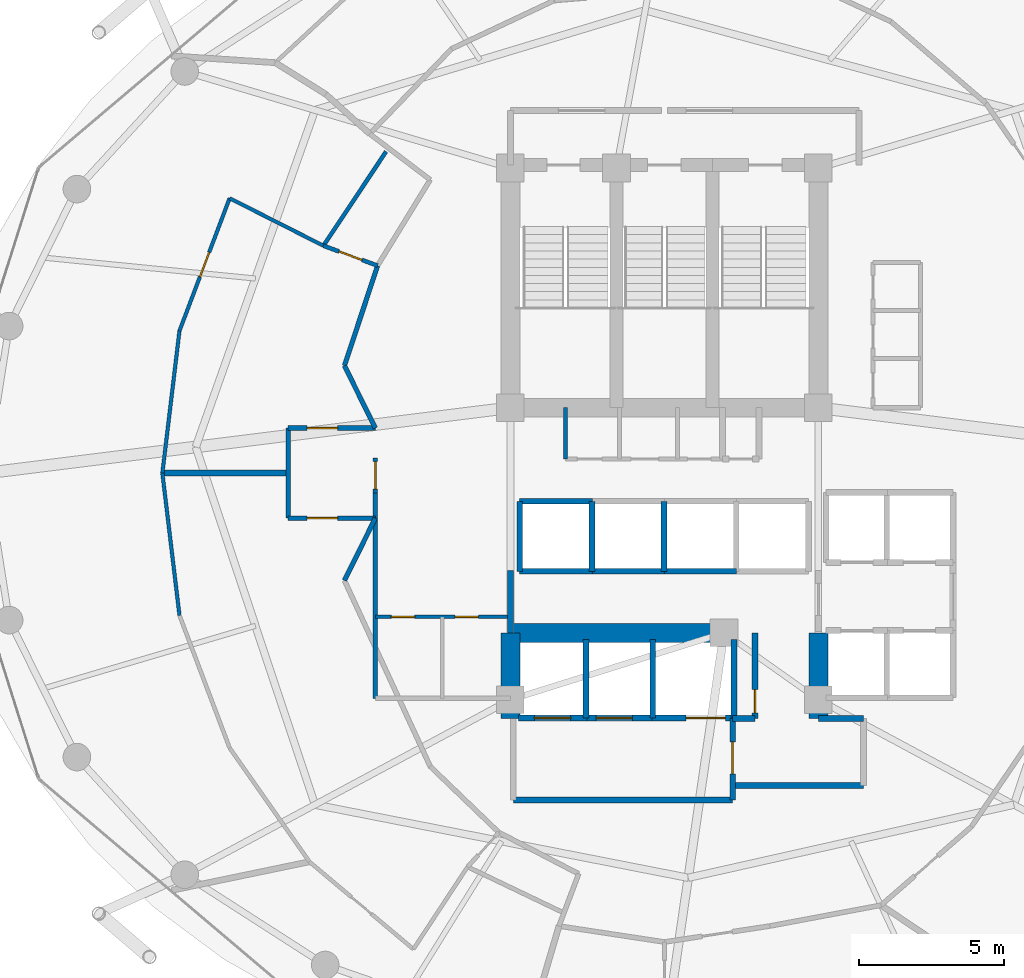
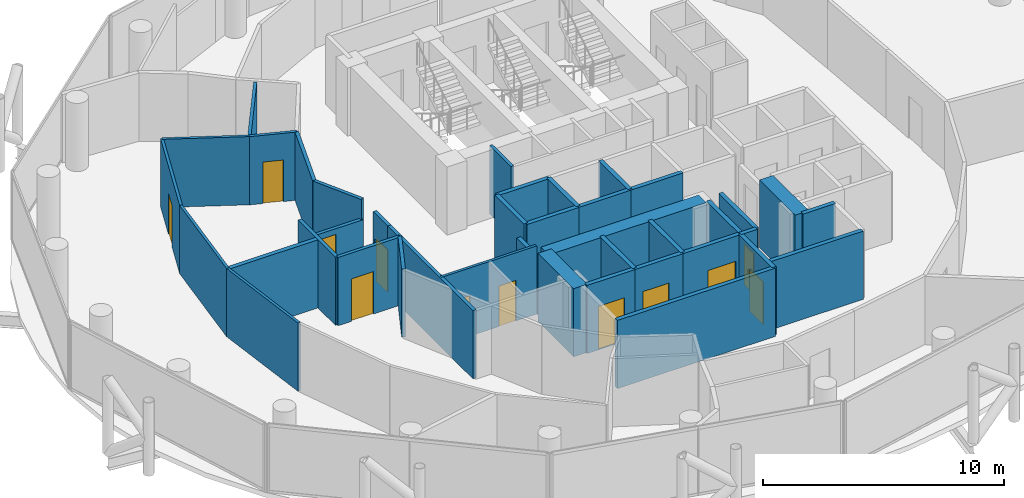
# One storey, part 22 of 26: 40 walls, 12 doors, 12 openings.
"""IFC4 building model written with IfcOpenShell, lengths in metres."""

from ifc_helpers import new_model, si_unit, direction, frame, frame_2d, origin, place, context, subcontext, project, spatial, rectangle, extrude, material, layer, layer_set, type_object, element, fill, save


model = new_model("IFC4")

# Units and contexts
model_context = context("Model", 3, precision=1e-05, world=origin(), true_north=direction((0.0, 1.0)))
body_context = subcontext(model_context, "Body", "Model", "MODEL_VIEW")
ifc_project = project(units=[si_unit("LENGTHUNIT", "METRE"), si_unit("AREAUNIT", "SQUARE_METRE"), si_unit("VOLUMEUNIT", "CUBIC_METRE"), si_unit("PLANEANGLEUNIT", "RADIAN"), si_unit("MASSUNIT", "GRAM", prefix="KILO")], contexts=[model_context])

# Site, building, storey
site_placement = place(None, origin())
site = spatial("IfcSite", under=ifc_project, at=site_placement, CompositionType="ELEMENT")
building_placement = place(site_placement, origin())
building = spatial("IfcBuilding", under=site, at=building_placement, Name="Nuhasar Tower", CompositionType="ELEMENT")
storey_placement = place(building_placement, frame((0.0, 0.0, 166.35009765625)))
storey = spatial("IfcBuildingStorey", under=building, at=storey_placement, Name="L40", CompositionType="ELEMENT", Elevation=166.35009765625)

# Walls
ifc_material_1 = material(Name="Concrete C65/80", Category="concrete")
ifc_layer_1 = layer(ifc_material_1, 0.64990234375)
ifc_layer_set_1 = layer_set([ifc_layer_1], Name="Concrete C65/80")
wall_type_1 = type_object("IfcWallType", Name="WL-CORE-650", PredefinedType="SHEAR", material=ifc_layer_set_1)
for number, where, z_axis, x_axis, name in (
    (1, (33.699951171875, 18.35009765625, 0.0), (0.0, 0.0, 1.0), (0.0, 1.0, 0.0), "L40 Core Shear Wall CW-SW CW-650"),
    (2, (44.300048828125, 18.35009765625, 0.0), (0.0, 0.0, 1.0), (0.0, 1.0, 0.0), "L40 Core Shear Wall CW-SE CW-650"),
):
    element("IfcWall", number, at=place(storey_placement, frame(where, z_axis=z_axis, x_axis=x_axis)), inside=storey, type_object=wall_type_1, Name=name, PredefinedType="SHEAR", context=body_context, shape_type="SweptSolid", body=[
        extrude(rectangle(XDim=2.949951171875, YDim=0.64990234375, at=frame_2d((1.47509765625, 0.0))), origin(), (0.0, 0.0, 1.0), 3.449951171875),
    ])
wall_1_placement = place(storey_placement, frame((33.699951171875, 21.300048828125, 0.0), z_axis=(0.0, 0.0, 1.0), x_axis=(1.0, 0.0, 0.0)))
element("IfcWall", 3, at=wall_1_placement, inside=storey, type_object=wall_type_1, Name="L40 Core Shear Wall CW-S1 CW-650", PredefinedType="SHEAR", context=body_context, shape_type="SweptSolid", body=[
    extrude(rectangle(XDim=7.550048828125, YDim=0.64990234375, at=frame_2d((3.77490234375, 0.0))), origin(), (0.0, 0.0, 1.0), 3.449951171875),
])
ifc_material_2 = material(Name="Gypsum Board", Category="gypsum")
ifc_layer_2 = layer(ifc_material_2, 0.159912109375)
ifc_layer_set_2 = layer_set([ifc_layer_2], Name="Gypsum Board")
wall_type_2 = type_object("IfcWallType", Name="WL-CORR-160", PredefinedType="PARTITIONING", material=ifc_layer_set_2)
wall_2_placement = place(storey_placement, frame((29.050048828125, 19.050048828125, 0.0), z_axis=(0.0, 0.0, 1.0), x_axis=(0.0, 1.0, 0.0)))
element("IfcWall", 4, at=wall_2_placement, inside=storey, type_object=wall_type_2, Name="L40 Interior Partition RECL-B1-W", PredefinedType="PARTITIONING", context=body_context, shape_type="SweptSolid", body=[
    extrude(rectangle(XDim=7.070068359375, YDim=0.159912109375, at=frame_2d((3.53515625, 0.0))), origin(), (0.0, 0.0, 1.0), 3.449951171875),
])

# Wall, opening, door
wall_3_placement = place(storey_placement, frame((29.050048828125, 26.1201171875, 0.0), z_axis=(0.0, 0.0, 1.0), x_axis=(0.0, 1.0, 0.0)))
wall_3 = element("IfcWall", 5, at=wall_3_placement, inside=storey, type_object=wall_type_2, Name="L40 Interior Partition WVEST-E", PredefinedType="PARTITIONING", context=body_context, shape_type="SweptSolid", body=[
    extrude(rectangle(XDim=1.199951171875, YDim=0.159912109375, at=frame_2d((0.60009765625, 0.0))), origin(), (0.0, 0.0, 1.0), 3.449951171875),
])
opening_1_placement = place(wall_3_placement, frame((0.125, 0.0, 0.0)))
opening_1 = element("IfcOpeningElement", 6, at=opening_1_placement, cuts=wall_3, Name="Opening DO-01", PredefinedType="OPENING", context=body_context, shape_type="SweptSolid", body=[
    extrude(rectangle(XDim=0.949951171875, YDim=2.14990234375, at=frame_2d((0.47509765625, 1.074951171875))), frame((0.0, 0.08984375, 0.0), z_axis=(0.0, -1.0, 0.0), x_axis=(1.0, 0.0, 0.0)), (0.0, 0.0, 1.0), 0.179931640625),
])
ifc_material_3 = material(Name="Timber Oak", Category="wood")
door_type_1 = type_object("IfcDoorType", Name="DR-OFFICE-FD30-950", OperationType="NOTDEFINED", PredefinedType="DOOR", material=ifc_material_3)
door_1_placement = place(opening_1_placement, origin())
door_1 = element("IfcDoor", 7, at=door_1_placement, inside=storey, type_object=door_type_1, Name="L40 West Arrival Foyer Core Door", OperationType="SINGLE_SWING_RIGHT", OverallHeight=2.14990234375, OverallWidth=0.949951171875, PredefinedType="DOOR", context=body_context, shape_type="SweptSolid", body=[
    extrude(rectangle(XDim=0.949951171875, YDim=2.14990234375, at=frame_2d((0.47509765625, 1.074951171875))), frame((0.0, 0.02490234375, 0.0), z_axis=(0.0, -1.0, 0.0), x_axis=(1.0, 0.0, 0.0)), (0.0, 0.0, 1.0), 0.050048828125),
])
fill(opening_1, door_1)

# Wall
wall_4_placement = place(storey_placement, frame((29.126953125, 33.93994140625, 0.0), z_axis=(0.0, 0.0, 1.0), x_axis=(-0.313985571683, -0.949427754374, 0.0)))
element("IfcWall", 8, at=wall_4_placement, inside=storey, type_object=wall_type_2, Name="L40 Interior Partition HWEST-CORE-N-20", PredefinedType="PARTITIONING", context=body_context, shape_type="SweptSolid", body=[
    extrude(rectangle(XDim=3.627197265625, YDim=0.159912109375, at=frame_2d((1.8134765625, 0.0))), origin(), (0.0, 0.0, 1.0), 3.449951171875),
])

# Wall, opening, door
wall_5_placement = place(storey_placement, frame((26.050048828125, 28.35009765625, 0.0), z_axis=(0.0, 0.0, 1.0), x_axis=(1.0, 0.0, 0.0)))
wall_5 = element("IfcWall", 9, at=wall_5_placement, inside=storey, type_object=wall_type_2, Name="L40 Interior Partition WVEST-N", PredefinedType="PARTITIONING", context=body_context, shape_type="SweptSolid", body=[
    extrude(rectangle(XDim=3.0, YDim=0.159912109375, at=frame_2d((1.5, 0.0))), origin(), (0.0, 0.0, 1.0), 2.43994140625),
])
opening_2_placement = place(wall_5_placement, frame((0.64990234375, 0.0, 0.0)))
opening_2 = element("IfcOpeningElement", 10, at=opening_2_placement, cuts=wall_5, Name="Opening DU-01", PredefinedType="OPENING", context=body_context, shape_type="SweptSolid", body=[
    extrude(rectangle(XDim=1.050048828125, YDim=2.14990234375, at=frame_2d((0.52490234375, 1.074951171875))), frame((0.0, 0.08984375, 0.0), z_axis=(0.0, -1.0, 0.0), x_axis=(1.0, 0.0, 0.0)), (0.0, 0.0, 1.0), 0.179931640625),
])
door_type_2 = type_object("IfcDoorType", Name="DR-SUITE-FD60-1050", OperationType="NOTDEFINED", PredefinedType="DOOR", material=ifc_material_3)
door_2_placement = place(opening_2_placement, origin())
door_2 = element("IfcDoor", 11, at=door_2_placement, inside=storey, type_object=door_type_2, Name="L40 North-West Sunset Suite Entrance", OperationType="SINGLE_SWING_LEFT", OverallHeight=2.14990234375, OverallWidth=1.050048828125, PredefinedType="DOOR", context=body_context, shape_type="SweptSolid", body=[
    extrude(rectangle(XDim=1.050048828125, YDim=2.14990234375, at=frame_2d((0.52490234375, 1.074951171875))), frame((0.0, 0.02490234375, 0.0), z_axis=(0.0, -1.0, 0.0), x_axis=(1.0, 0.0, 0.0)), (0.0, 0.0, 1.0), 0.050048828125),
])
fill(opening_2, door_2)

wall_6_placement = place(storey_placement, frame((26.050048828125, 25.25, 0.0), z_axis=(0.0, 0.0, 1.0), x_axis=(1.0, 0.0, 0.0)))
wall_6 = element("IfcWall", 12, at=wall_6_placement, inside=storey, type_object=wall_type_2, Name="L40 Interior Partition WVEST-S", PredefinedType="PARTITIONING", context=body_context, shape_type="SweptSolid", body=[
    extrude(rectangle(XDim=3.0, YDim=0.159912109375, at=frame_2d((1.5, 0.0))), origin(), (0.0, 0.0, 1.0), 3.449951171875),
])
opening_3_placement = place(wall_6_placement, frame((0.64990234375, 0.0, 0.0)))
opening_3 = element("IfcOpeningElement", 13, at=opening_3_placement, cuts=wall_6, Name="Opening DU-01", PredefinedType="OPENING", context=body_context, shape_type="SweptSolid", body=[
    extrude(rectangle(XDim=1.050048828125, YDim=2.14990234375, at=frame_2d((0.52490234375, 1.074951171875))), frame((0.0, 0.08984375, 0.0), z_axis=(0.0, -1.0, 0.0), x_axis=(1.0, 0.0, 0.0)), (0.0, 0.0, 1.0), 0.179931640625),
])
door_3_placement = place(opening_3_placement, origin())
door_3 = element("IfcDoor", 14, at=door_3_placement, inside=storey, type_object=door_type_2, Name="L40 South-West Presidential Suite Entrance", OperationType="SINGLE_SWING_LEFT", OverallHeight=2.14990234375, OverallWidth=1.050048828125, PredefinedType="DOOR", context=body_context, shape_type="SweptSolid", body=[
    extrude(rectangle(XDim=1.050048828125, YDim=2.14990234375, at=frame_2d((0.52490234375, 1.074951171875))), frame((0.0, 0.02490234375, 0.0), z_axis=(0.0, -1.0, 0.0), x_axis=(1.0, 0.0, 0.0)), (0.0, 0.0, 1.0), 0.050048828125),
])
fill(opening_3, door_3)

# Walls
wall_7_placement = place(storey_placement, frame((26.050048828125, 25.25, 0.0), z_axis=(0.0, 0.0, 1.0), x_axis=(0.0, 1.0, 0.0)))
element("IfcWall", 15, at=wall_7_placement, inside=storey, type_object=wall_type_2, Name="L40 Interior Partition WVEST-W", PredefinedType="PARTITIONING", context=body_context, shape_type="SweptSolid", body=[
    extrude(rectangle(XDim=3.10009765625, YDim=0.159912109375, at=frame_2d((1.550048828125, 0.0))), origin(), (0.0, 0.0, 1.0), 3.449951171875),
])
for number, where, z_axis, x_axis, name in (
    (16, (27.988037109375, 30.49609375, 0.0), (0.0, 0.0, 1.0), (0.443539160525, -0.896254993337, 0.0), "L40 Interior Partition WVEST-CN"),
    (17, (27.988037109375, 23.10400390625, 0.0), (0.0, 0.0, 1.0), (0.443539160525, 0.896254993337, 0.0), "L40 Interior Partition WVEST-CS"),
):
    element("IfcWall", number, at=place(storey_placement, frame(where, z_axis=z_axis, x_axis=x_axis)), inside=storey, type_object=wall_type_2, Name=name, PredefinedType="PARTITIONING", context=body_context, shape_type="SweptSolid", body=[
        extrude(rectangle(XDim=2.394287109375, YDim=0.159912109375, at=frame_2d((1.197265625, 0.0))), origin(), (0.0, 0.0, 1.0), 3.449951171875),
    ])
ifc_material_4 = material(Name="Concrete C45/55", Category="concrete")
ifc_layer_3 = layer(ifc_material_4, 0.199951171875)
ifc_layer_set_3 = layer_set([ifc_layer_3], Name="Concrete C45/55")
wall_type_3 = type_object("IfcWallType", Name="WL-LOBBY-200", PredefinedType="SOLIDWALL", material=ifc_layer_set_3)
wall_8_placement = place(storey_placement, frame((33.699951171875, 21.300048828125, 0.0), z_axis=(0.0, 0.0, 1.0), x_axis=(0.0, 1.0, 0.0)))
element("IfcWall", 18, at=wall_8_placement, inside=storey, type_object=wall_type_3, Name="L40 Interior Partition LLBH-W", PredefinedType="SOLIDWALL", context=body_context, shape_type="SweptSolid", body=[
    extrude(rectangle(XDim=2.14990234375, YDim=0.199951171875, at=frame_2d((1.074951171875, 0.0))), origin(), (0.0, 0.0, 1.0), 2.8349609375),
])
wall_9_placement = place(storey_placement, frame((33.800048828125, 15.550048828125, 0.0), z_axis=(0.0, 0.0, 1.0), x_axis=(1.0, 0.0, 0.0)))
element("IfcWall", 19, at=wall_9_placement, inside=storey, type_object=wall_type_3, Name="L40 Interior Partition FFL-S", PredefinedType="SOLIDWALL", context=body_context, shape_type="SweptSolid", body=[
    extrude(rectangle(XDim=7.550048828125, YDim=0.199951171875, at=frame_2d((3.77490234375, 0.0))), origin(), (0.0, 0.0, 1.0), 3.449951171875),
])

# Wall, opening, door
wall_10_placement = place(storey_placement, frame((41.35009765625, 15.550048828125, 0.0), z_axis=(0.0, 0.0, 1.0), x_axis=(0.0, 1.0, 0.0)))
wall_10 = element("IfcWall", 20, at=wall_10_placement, inside=storey, type_object=wall_type_3, Name="L40 Interior Partition FFL-E", PredefinedType="SOLIDWALL", context=body_context, shape_type="SweptSolid", body=[
    extrude(rectangle(XDim=2.800048828125, YDim=0.199951171875, at=frame_2d((1.39990234375, 0.0))), origin(), (0.0, 0.0, 1.0), 3.449951171875),
])
opening_4_placement = place(wall_10_placement, frame((0.89990234375, 0.0, 0.0)))
opening_4 = element("IfcOpeningElement", 21, at=opening_4_placement, cuts=wall_10, Name="Opening DS-02", PredefinedType="OPENING", context=body_context, shape_type="SweptSolid", body=[
    extrude(rectangle(XDim=1.10009765625, YDim=2.14990234375, at=frame_2d((0.550048828125, 1.074951171875))), frame((0.0, 0.10986328125, 0.0), z_axis=(0.0, -1.0, 0.0), x_axis=(1.0, 0.0, 0.0)), (0.0, 0.0, 1.0), 0.219970703125),
])
ifc_material_5 = material(Name="Steel S355", Category="steel")
door_type_3 = type_object("IfcDoorType", Name="DR-FFL-FD120-1100", OperationType="NOTDEFINED", PredefinedType="DOOR", material=ifc_material_5)
door_4_placement = place(opening_4_placement, origin())
door_4 = element("IfcDoor", 22, at=door_4_placement, inside=storey, type_object=door_type_3, Name="L40 Firefighting Lobby Door", OperationType="SINGLE_SWING_RIGHT", OverallHeight=2.14990234375, OverallWidth=1.10009765625, PredefinedType="DOOR", context=body_context, shape_type="SweptSolid", body=[
    extrude(rectangle(XDim=1.10009765625, YDim=2.14990234375, at=frame_2d((0.550048828125, 1.074951171875))), frame((0.0, 0.02490234375, 0.0), z_axis=(0.0, -1.0, 0.0), x_axis=(1.0, 0.0, 0.0)), (0.0, 0.0, 1.0), 0.050048828125),
])
fill(opening_4, door_4)

# Walls
wall_11_placement = place(storey_placement, frame((41.35009765625, 16.050048828125, 0.0), z_axis=(0.0, 0.0, 1.0), x_axis=(1.0, 0.0, 0.0)))
element("IfcWall", 23, at=wall_11_placement, inside=storey, type_object=wall_type_3, Name="L40 Interior Partition SVLV-S", PredefinedType="SOLIDWALL", context=body_context, shape_type="SweptSolid", body=[
    extrude(rectangle(XDim=4.5, YDim=0.199951171875, at=frame_2d((2.25, 0.0))), origin(), (0.0, 0.0, 1.0), 3.449951171875),
])
wall_12_placement = place(storey_placement, frame((44.300048828125, 18.35009765625, 0.0), z_axis=(0.0, 0.0, 1.0), x_axis=(1.0, 0.0, 0.0)))
element("IfcWall", 24, at=wall_12_placement, inside=storey, type_object=wall_type_3, Name="L40 Interior Partition SVLV-N", PredefinedType="SOLIDWALL", context=body_context, shape_type="SweptSolid", body=[
    extrude(rectangle(XDim=1.550048828125, YDim=0.199951171875, at=frame_2d((0.77490234375, 0.0))), origin(), (0.0, 0.0, 1.0), 3.449951171875),
])

# Wall, openings, doors
ifc_layer_4 = layer(ifc_material_2, 0.125)
ifc_layer_set_4 = layer_set([ifc_layer_4], Name="Gypsum Board")
wall_type_4 = type_object("IfcWallType", Name="WL-PART-125", PredefinedType="PARTITIONING", material=ifc_layer_set_4)
wall_13_placement = place(storey_placement, frame((33.60009765625, 21.85009765625, 0.0), z_axis=(0.0, 0.0, 1.0), x_axis=(-1.0, 0.0, 0.0)))
wall_13 = element("IfcWall", 25, at=wall_13_placement, inside=storey, type_object=wall_type_4, Name="L40 Interior Partition HKPK1-N", PredefinedType="PARTITIONING", context=body_context, shape_type="SweptSolid", body=[
    extrude(rectangle(XDim=4.550048828125, YDim=0.125, at=frame_2d((2.27490234375, 0.0))), origin(), (0.0, 0.0, 1.0), 3.449951171875),
])
opening_5_placement = place(wall_13_placement, frame((3.199951171875, 0.0, 0.0)))
opening_5 = element("IfcOpeningElement", 26, at=opening_5_placement, cuts=wall_13, Name="Opening DM-01", PredefinedType="OPENING", context=body_context, shape_type="SweptSolid", body=[
    extrude(rectangle(XDim=0.800048828125, YDim=2.050048828125, at=frame_2d((0.39990234375, 1.02490234375))), frame((0.0, 0.072509765625, 0.0), z_axis=(0.0, -1.0, 0.0), x_axis=(1.0, 0.0, 0.0)), (0.0, 0.0, 1.0), 0.14501953125),
])
opening_6_placement = place(wall_13_placement, frame((1.0, 0.0, 0.0)))
opening_6 = element("IfcOpeningElement", 27, at=opening_6_placement, cuts=wall_13, Name="Opening DM-01", PredefinedType="OPENING", context=body_context, shape_type="SweptSolid", body=[
    extrude(rectangle(XDim=0.800048828125, YDim=2.050048828125, at=frame_2d((0.39990234375, 1.02490234375))), frame((0.0, 0.072509765625, 0.0), z_axis=(0.0, -1.0, 0.0), x_axis=(1.0, 0.0, 0.0)), (0.0, 0.0, 1.0), 0.14501953125),
])
door_type_4 = type_object("IfcDoorType", Name="DR-RISER-FD60-800", OperationType="NOTDEFINED", PredefinedType="DOOR", material=ifc_material_5)
door_5_placement = place(opening_5_placement, origin())
door_5 = element("IfcDoor", 28, at=door_5_placement, inside=storey, type_object=door_type_4, Name="L40 Housekeeping Closet Door", OperationType="SINGLE_SWING_RIGHT", OverallHeight=2.050048828125, OverallWidth=0.800048828125, PredefinedType="DOOR", context=body_context, shape_type="SweptSolid", body=[
    extrude(rectangle(XDim=0.800048828125, YDim=2.050048828125, at=frame_2d((0.39990234375, 1.02490234375))), frame((0.0, 0.02490234375, 0.0), z_axis=(0.0, -1.0, 0.0), x_axis=(1.0, 0.0, 0.0)), (0.0, 0.0, 1.0), 0.050048828125),
])
fill(opening_5, door_5)
door_6_placement = place(opening_6_placement, origin())
door_6 = element("IfcDoor", 29, at=door_6_placement, inside=storey, type_object=door_type_4, Name="L40 Linen Store Door", OperationType="SINGLE_SWING_LEFT", OverallHeight=2.050048828125, OverallWidth=0.800048828125, PredefinedType="DOOR", context=body_context, shape_type="SweptSolid", body=[
    extrude(rectangle(XDim=0.800048828125, YDim=2.050048828125, at=frame_2d((0.39990234375, 1.02490234375))), frame((0.0, 0.02490234375, 0.0), z_axis=(0.0, -1.0, 0.0), x_axis=(1.0, 0.0, 0.0)), (0.0, 0.0, 1.0), 0.050048828125),
])
fill(opening_6, door_6)

# Wall
wall_14_placement = place(storey_placement, frame((27.264892578125, 34.625, 0.0), z_axis=(0.0, 0.0, 1.0), x_axis=(-0.892204285049, 0.451632055705, 0.0)))
element("IfcWall", 30, at=wall_14_placement, inside=storey, type_object=wall_type_4, Name="L40 Interior Partition HWS1-S", PredefinedType="PARTITIONING", context=body_context, shape_type="SweptSolid", body=[
    extrude(rectangle(XDim=3.6201171875, YDim=0.125, at=frame_2d((1.81005859375, 0.0))), origin(), (0.0, 0.0, 1.0), 3.449951171875),
])

# Wall, opening, door
wall_15_placement = place(storey_placement, frame((24.034912109375, 36.260009765625, 0.0), z_axis=(0.0, 0.0, 1.0), x_axis=(-0.353765495648, -0.935334151033, 0.0)))
wall_15 = element("IfcWall", 31, at=wall_15_placement, inside=storey, type_object=wall_type_4, Name="L40 Interior Partition HWS1-ARC-20", PredefinedType="PARTITIONING", context=body_context, shape_type="SweptSolid", body=[
    extrude(rectangle(XDim=4.87841796875, YDim=0.125, at=frame_2d((2.439208984375, 0.0))), origin(), (0.0, 0.0, 1.0), 3.449951171875),
])
opening_7_placement = place(wall_15_placement, frame((1.989013671875, 0.0, 0.0)))
opening_7 = element("IfcOpeningElement", 32, at=opening_7_placement, cuts=wall_15, Name="Opening DR-01", PredefinedType="OPENING", context=body_context, shape_type="SweptSolid", body=[
    extrude(rectangle(XDim=0.89990234375, YDim=2.10009765625, at=frame_2d((0.449951171875, 1.050048828125))), frame((0.0, 0.072509765625, 0.0), z_axis=(0.0, -1.0, 0.0), x_axis=(1.0, 0.0, 0.0)), (0.0, 0.0, 1.0), 0.14501953125),
])
door_type_5 = type_object("IfcDoorType", Name="DR-ROOM-900", OperationType="NOTDEFINED", PredefinedType="DOOR", material=ifc_material_3)
door_7_placement = place(opening_7_placement, origin())
door_7 = element("IfcDoor", 33, at=door_7_placement, inside=storey, type_object=door_type_5, Name="L40 North-West Sunset Suite Bedroom Door", OperationType="SINGLE_SWING_LEFT", OverallHeight=2.10009765625, OverallWidth=0.89990234375, PredefinedType="DOOR", context=body_context, shape_type="SweptSolid", body=[
    extrude(rectangle(XDim=0.89990234375, YDim=2.10009765625, at=frame_2d((0.449951171875, 1.050048828125))), frame((0.0, 0.02490234375, 0.0), z_axis=(0.0, -1.0, 0.0), x_axis=(1.0, 0.0, 0.0)), (0.0, 0.0, 1.0), 0.050048828125),
])
fill(opening_7, door_7)

# Walls
for number, where, z_axis, x_axis, name in (
    (34, (22.30908203125, 31.697021484375, 0.0), (0.0, 0.0, 1.0), (-0.119439942395, -0.9928414275, 0.0), "L40 Interior Partition HWS1-ARC-22"),
    (35, (21.719970703125, 26.800048828125, 0.0), (0.0, 0.0, 1.0), (0.119439942395, -0.9928414275, 0.0), "L40 Interior Partition HWS2-ARC-24"),
):
    element("IfcWall", number, at=place(storey_placement, frame(where, z_axis=z_axis, x_axis=x_axis)), inside=storey, type_object=wall_type_4, Name=name, PredefinedType="PARTITIONING", context=body_context, shape_type="SweptSolid", body=[
        extrude(rectangle(XDim=4.932373046875, YDim=0.125, at=frame_2d((2.46630859375, 0.0))), origin(), (0.0, 0.0, 1.0), 3.449951171875),
    ])
ifc_layer_5 = layer(ifc_material_4, 0.199951171875)
ifc_layer_set_5 = layer_set([ifc_layer_5], Name="Concrete C45/55")
wall_type_5 = type_object("IfcWallType", Name="WL-SHAFT-200", PredefinedType="SOLIDWALL", material=ifc_layer_set_5)
for number, where, z_axis, x_axis, name in (
    (36, (34.02001953125, 23.419921875, 0.0), (0.0, 0.0, 1.0), (1.0, 0.0, 0.0), "L40 Interior Partition SHF-PL-H01-S"),
    (37, (34.02001953125, 25.830078125, 0.0), (0.0, 0.0, 1.0), (1.0, 0.0, 0.0), "L40 Interior Partition SHF-PL-H01-N"),
):
    element("IfcWall", number, at=place(storey_placement, frame(where, z_axis=z_axis, x_axis=x_axis)), inside=storey, type_object=wall_type_5, Name=name, PredefinedType="SOLIDWALL", context=body_context, shape_type="SweptSolid", body=[
        extrude(rectangle(XDim=2.5, YDim=0.199951171875, at=frame_2d((1.25, 0.0))), origin(), (0.0, 0.0, 1.0), 3.449951171875),
    ])
for number, where, z_axis, x_axis, name in (
    (38, (34.02001953125, 23.419921875, 0.0), (0.0, 0.0, 1.0), (0.0, 1.0, 0.0), "L40 Interior Partition SHF-PL-H01-W"),
    (39, (36.510009765625, 23.419921875, 0.0), (0.0, 0.0, 1.0), (0.0, 1.0, 0.0), "L40 Interior Partition SHF-PL-H01-E"),
):
    element("IfcWall", number, at=place(storey_placement, frame(where, z_axis=z_axis, x_axis=x_axis)), inside=storey, type_object=wall_type_5, Name=name, PredefinedType="SOLIDWALL", context=body_context, shape_type="SweptSolid", body=[
        extrude(rectangle(XDim=2.41015625, YDim=0.199951171875, at=frame_2d((1.205078125, 0.0))), origin(), (0.0, 0.0, 1.0), 3.449951171875),
    ])
wall_16_placement = place(storey_placement, frame((36.5, 23.419921875, 0.0), z_axis=(0.0, 0.0, 1.0), x_axis=(1.0, 0.0, 0.0)))
element("IfcWall", 40, at=wall_16_placement, inside=storey, type_object=wall_type_5, Name="L40 Interior Partition SHF-PL-H02-S", PredefinedType="SOLIDWALL", context=body_context, shape_type="SweptSolid", body=[
    extrude(rectangle(XDim=2.5, YDim=0.199951171875, at=frame_2d((1.25, 0.0))), origin(), (0.0, 0.0, 1.0), 3.449951171875),
])
wall_17_placement = place(storey_placement, frame((38.989990234375, 23.419921875, 0.0), z_axis=(0.0, 0.0, 1.0), x_axis=(0.0, 1.0, 0.0)))
element("IfcWall", 41, at=wall_17_placement, inside=storey, type_object=wall_type_5, Name="L40 Interior Partition SHF-PL-H02-E", PredefinedType="SOLIDWALL", context=body_context, shape_type="SweptSolid", body=[
    extrude(rectangle(XDim=2.41015625, YDim=0.199951171875, at=frame_2d((1.205078125, 0.0))), origin(), (0.0, 0.0, 1.0), 3.449951171875),
])
wall_18_placement = place(storey_placement, frame((38.97998046875, 23.419921875, 0.0), z_axis=(0.0, 0.0, 1.0), x_axis=(1.0, 0.0, 0.0)))
element("IfcWall", 42, at=wall_18_placement, inside=storey, type_object=wall_type_5, Name="L40 Interior Partition SHF-PL-H03-S", PredefinedType="SOLIDWALL", context=body_context, shape_type="SweptSolid", body=[
    extrude(rectangle(XDim=2.5, YDim=0.199951171875, at=frame_2d((1.25, 0.0))), origin(), (0.0, 0.0, 1.0), 3.449951171875),
])

# Wall, opening, door
wall_19_placement = place(storey_placement, frame((33.969970703125, 18.3701171875, 0.0), z_axis=(0.0, 0.0, 1.0), x_axis=(1.0, 0.0, 0.0)))
wall_19 = element("IfcWall", 43, at=wall_19_placement, inside=storey, type_object=wall_type_5, Name="L40 Interior Partition SHF-FFL-01-S", PredefinedType="SOLIDWALL", context=body_context, shape_type="SweptSolid", body=[
    extrude(rectangle(XDim=2.360107421875, YDim=0.199951171875, at=frame_2d((1.18017578125, 0.0))), origin(), (0.0, 0.0, 1.0), 3.449951171875),
])
opening_8_placement = place(wall_19_placement, frame((0.554931640625, 0.0, 0.0)))
opening_8 = element("IfcOpeningElement", 44, at=opening_8_placement, cuts=wall_19, Name="Opening LD-F01", PredefinedType="OPENING", context=body_context, shape_type="SweptSolid", body=[
    extrude(rectangle(XDim=1.25, YDim=2.199951171875, at=frame_2d((0.625, 1.10009765625))), frame((0.0, 0.10986328125, 0.0), z_axis=(0.0, -1.0, 0.0), x_axis=(1.0, 0.0, 0.0)), (0.0, 0.0, 1.0), 0.219970703125),
])
ifc_material_6 = material(Name="Stainless Steel 316L", Category="steel")
door_type_6 = type_object("IfcDoorType", Name="LD-FFL-1250", OperationType="DOUBLE_DOOR_SLIDING", PredefinedType="DOOR", material=ifc_material_6)
door_8_placement = place(opening_8_placement, origin())
door_8 = element("IfcDoor", 45, at=door_8_placement, inside=storey, type_object=door_type_6, Name="L40 Lift Landing Door FFL-01", OperationType="DOUBLE_DOOR_SLIDING", OverallHeight=2.199951171875, OverallWidth=1.25, PredefinedType="DOOR", context=body_context, shape_type="SweptSolid", body=[
    extrude(rectangle(XDim=1.25, YDim=2.199951171875, at=frame_2d((0.625, 1.10009765625))), frame((0.0, 0.02490234375, 0.0), z_axis=(0.0, -1.0, 0.0), x_axis=(1.0, 0.0, 0.0)), (0.0, 0.0, 1.0), 0.050048828125),
])
fill(opening_8, door_8)

# Wall
wall_20_placement = place(storey_placement, frame((36.300048828125, 18.3701171875, 0.0), z_axis=(0.0, 0.0, 1.0), x_axis=(0.0, 1.0, 0.0)))
element("IfcWall", 46, at=wall_20_placement, inside=storey, type_object=wall_type_5, Name="L40 Interior Partition SHF-FFL-01-E", PredefinedType="SOLIDWALL", context=body_context, shape_type="SweptSolid", body=[
    extrude(rectangle(XDim=2.7099609375, YDim=0.199951171875, at=frame_2d((1.35498046875, 0.0))), origin(), (0.0, 0.0, 1.0), 3.449951171875),
])

# Wall, opening, door
wall_21_placement = place(storey_placement, frame((36.27001953125, 18.3701171875, 0.0), z_axis=(0.0, 0.0, 1.0), x_axis=(1.0, 0.0, 0.0)))
wall_21 = element("IfcWall", 47, at=wall_21_placement, inside=storey, type_object=wall_type_5, Name="L40 Interior Partition SHF-FFL-02-S", PredefinedType="SOLIDWALL", context=body_context, shape_type="SweptSolid", body=[
    extrude(rectangle(XDim=2.35986328125, YDim=0.199951171875, at=frame_2d((1.179931640625, 0.0))), origin(), (0.0, 0.0, 1.0), 3.449951171875),
])
opening_9_placement = place(wall_21_placement, frame((0.3798828125, 0.0, 0.0)))
opening_9 = element("IfcOpeningElement", 48, at=opening_9_placement, cuts=wall_21, Name="Opening LD-F02", PredefinedType="OPENING", context=body_context, shape_type="SweptSolid", body=[
    extrude(rectangle(XDim=1.25, YDim=2.199951171875, at=frame_2d((0.625, 1.10009765625))), frame((0.0, 0.10986328125, 0.0), z_axis=(0.0, -1.0, 0.0), x_axis=(1.0, 0.0, 0.0)), (0.0, 0.0, 1.0), 0.219970703125),
])
door_9_placement = place(opening_9_placement, origin())
door_9 = element("IfcDoor", 49, at=door_9_placement, inside=storey, type_object=door_type_6, Name="L40 Lift Landing Door FFL-02", OperationType="DOUBLE_DOOR_SLIDING", OverallHeight=2.199951171875, OverallWidth=1.25, PredefinedType="DOOR", context=body_context, shape_type="SweptSolid", body=[
    extrude(rectangle(XDim=1.25, YDim=2.199951171875, at=frame_2d((0.625, 1.10009765625))), frame((0.0, 0.02490234375, 0.0), z_axis=(0.0, -1.0, 0.0), x_axis=(1.0, 0.0, 0.0)), (0.0, 0.0, 1.0), 0.050048828125),
])
fill(opening_9, door_9)

# Wall
wall_22_placement = place(storey_placement, frame((38.60009765625, 18.3701171875, 0.0), z_axis=(0.0, 0.0, 1.0), x_axis=(0.0, 1.0, 0.0)))
element("IfcWall", 50, at=wall_22_placement, inside=storey, type_object=wall_type_5, Name="L40 Interior Partition SHF-FFL-02-E", PredefinedType="SOLIDWALL", context=body_context, shape_type="SweptSolid", body=[
    extrude(rectangle(XDim=2.7099609375, YDim=0.199951171875, at=frame_2d((1.35498046875, 0.0))), origin(), (0.0, 0.0, 1.0), 3.449951171875),
])

# Wall, opening, door
wall_23_placement = place(storey_placement, frame((38.570068359375, 18.3701171875, 0.0), z_axis=(0.0, 0.0, 1.0), x_axis=(1.0, 0.0, 0.0)))
wall_23 = element("IfcWall", 51, at=wall_23_placement, inside=storey, type_object=wall_type_5, Name="L40 Interior Partition SHF-SVL-01-S", PredefinedType="SOLIDWALL", context=body_context, shape_type="SweptSolid", body=[
    extrude(rectangle(XDim=2.829833984375, YDim=0.199951171875, at=frame_2d((1.4150390625, 0.0))), origin(), (0.0, 0.0, 1.0), 3.449951171875),
])
opening_10_placement = place(wall_23_placement, frame((1.179931640625, 0.0, 0.0)))
opening_10 = element("IfcOpeningElement", 52, at=opening_10_placement, cuts=wall_23, Name="Opening LD-S01", PredefinedType="OPENING", context=body_context, shape_type="SweptSolid", body=[
    extrude(rectangle(XDim=1.35009765625, YDim=2.179931640625, at=frame_2d((0.675048828125, 1.08984375))), frame((0.0, 0.10986328125, 0.0), z_axis=(0.0, -1.0, 0.0), x_axis=(1.0, 0.0, 0.0)), (0.0, 0.0, 1.0), 0.219970703125),
])
door_type_7 = type_object("IfcDoorType", Name="LD-SVL-1350", OperationType="DOUBLE_DOOR_SLIDING", PredefinedType="DOOR", material=ifc_material_6)
door_10_placement = place(opening_10_placement, origin())
door_10 = element("IfcDoor", 53, at=door_10_placement, inside=storey, type_object=door_type_7, Name="L40 Lift Landing Door SVL-01", OperationType="DOUBLE_DOOR_SLIDING", OverallHeight=2.179931640625, OverallWidth=1.35009765625, PredefinedType="DOOR", context=body_context, shape_type="SweptSolid", body=[
    extrude(rectangle(XDim=1.35009765625, YDim=2.179931640625, at=frame_2d((0.675048828125, 1.08984375))), frame((0.0, 0.02490234375, 0.0), z_axis=(0.0, -1.0, 0.0), x_axis=(1.0, 0.0, 0.0)), (0.0, 0.0, 1.0), 0.050048828125),
])
fill(opening_10, door_10)

# Wall
wall_24_placement = place(storey_placement, frame((41.39990234375, 18.3701171875, 0.0), z_axis=(0.0, 0.0, 1.0), x_axis=(0.0, 1.0, 0.0)))
element("IfcWall", 54, at=wall_24_placement, inside=storey, type_object=wall_type_5, Name="L40 Interior Partition SHF-SVL-01-E", PredefinedType="SOLIDWALL", context=body_context, shape_type="SweptSolid", body=[
    extrude(rectangle(XDim=2.7099609375, YDim=0.199951171875, at=frame_2d((1.35498046875, 0.0))), origin(), (0.0, 0.0, 1.0), 3.449951171875),
])

# Wall, opening, door
wall_25_placement = place(storey_placement, frame((42.1201171875, 18.35009765625, 0.0), z_axis=(0.0, 0.0, 1.0), x_axis=(0.0, 1.0, 0.0)))
wall_25 = element("IfcWall", 55, at=wall_25_placement, inside=storey, type_object=wall_type_5, Name="L40 Interior Partition RSR-E", PredefinedType="SOLIDWALL", context=body_context, shape_type="SweptSolid", body=[
    extrude(rectangle(XDim=2.949951171875, YDim=0.199951171875, at=frame_2d((1.47509765625, 0.0))), origin(), (0.0, 0.0, 1.0), 3.449951171875),
])
opening_11_placement = place(wall_25_placement, frame((0.199951171875, 0.0, 0.0)))
opening_11 = element("IfcOpeningElement", 56, at=opening_11_placement, cuts=wall_25, Name="Opening DM-01", PredefinedType="OPENING", context=body_context, shape_type="SweptSolid", body=[
    extrude(rectangle(XDim=0.800048828125, YDim=2.050048828125, at=frame_2d((0.39990234375, 1.02490234375))), frame((0.0, 0.10986328125, 0.0), z_axis=(0.0, -1.0, 0.0), x_axis=(1.0, 0.0, 0.0)), (0.0, 0.0, 1.0), 0.219970703125),
])
door_11_placement = place(opening_11_placement, origin())
door_11 = element("IfcDoor", 57, at=door_11_placement, inside=storey, type_object=door_type_4, Name="L40 MEP Riser Access Door", OperationType="SINGLE_SWING_LEFT", OverallHeight=2.050048828125, OverallWidth=0.800048828125, PredefinedType="DOOR", context=body_context, shape_type="SweptSolid", body=[
    extrude(rectangle(XDim=0.800048828125, YDim=2.050048828125, at=frame_2d((0.39990234375, 1.02490234375))), frame((0.0, 0.02490234375, 0.0), z_axis=(0.0, -1.0, 0.0), x_axis=(1.0, 0.0, 0.0)), (0.0, 0.0, 1.0), 0.050048828125),
])
fill(opening_11, door_11)

# Walls
wall_26_placement = place(storey_placement, frame((41.35009765625, 18.35009765625, 0.0), z_axis=(0.0, 0.0, 1.0), x_axis=(1.0, 0.0, 0.0)))
element("IfcWall", 58, at=wall_26_placement, inside=storey, type_object=wall_type_5, Name="L40 Interior Partition RSR-S", PredefinedType="SOLIDWALL", context=body_context, shape_type="SweptSolid", body=[
    extrude(rectangle(XDim=0.77001953125, YDim=0.199951171875, at=frame_2d((0.385009765625, 0.0))), origin(), (0.0, 0.0, 1.0), 3.449951171875),
])
ifc_material_7 = material(Name="Concrete C40/50 precast", Category="concrete")
ifc_layer_6 = layer(ifc_material_7, 0.199951171875)
ifc_layer_set_6 = layer_set([ifc_layer_6], Name="Concrete C40/50 precast")
wall_type_6 = type_object("IfcWallType", Name="WL-UNIT-200", PredefinedType="PARTITIONING", material=ifc_layer_set_6)
wall_27_placement = place(storey_placement, frame((26.050048828125, 26.800048828125, 0.0), z_axis=(0.0, 0.0, 1.0), x_axis=(-1.0, 0.0, 0.0)))
element("IfcWall", 59, at=wall_27_placement, inside=storey, type_object=wall_type_6, Name="L40 Interior Partition HWEST-DIV-IN", PredefinedType="PARTITIONING", context=body_context, shape_type="SweptSolid", body=[
    extrude(rectangle(XDim=4.330078125, YDim=0.199951171875, at=frame_2d((2.1650390625, 0.0))), origin(), (0.0, 0.0, 1.0), 3.449951171875),
])
ifc_layer_7 = layer(ifc_material_7, 0.139892578125)
ifc_layer_set_7 = layer_set([ifc_layer_7], Name="Concrete C40/50 precast")
wall_type_7 = type_object("IfcWallType", Name="WL-WET-140", PredefinedType="PARTITIONING", material=ifc_layer_set_7)
wall_28_placement = place(storey_placement, frame((35.60009765625, 27.280029296875, 0.0), z_axis=(0.0, 0.0, 1.0), x_axis=(0.0, 1.0, 0.0)))
element("IfcWall", 60, at=wall_28_placement, inside=storey, type_object=wall_type_7, Name="L40 Interior Partition CSVC-W", PredefinedType="PARTITIONING", context=body_context, shape_type="SweptSolid", body=[
    extrude(rectangle(XDim=1.77001953125, YDim=0.139892578125, at=frame_2d((0.885009765625, 0.0))), origin(), (0.0, 0.0, 1.0), 3.449951171875),
])

# Wall, opening, door
wall_29_placement = place(storey_placement, frame((27.264892578125, 34.625, 0.0), z_axis=(0.0, 0.0, 1.0), x_axis=(0.938500583084, -0.345277649945, 0.0)))
wall_29 = element("IfcWall", 61, at=wall_29_placement, inside=storey, type_object=wall_type_7, Name="L40 Interior Partition HBW1-S", PredefinedType="PARTITIONING", context=body_context, shape_type="SweptSolid", body=[
    extrude(rectangle(XDim=1.984130859375, YDim=0.139892578125, at=frame_2d((0.9921875, 0.0))), origin(), (0.0, 0.0, 1.0), 3.449951171875),
])
opening_12_placement = place(wall_29_placement, frame((0.56689453125, 0.0, 0.0)))
opening_12 = element("IfcOpeningElement", 62, at=opening_12_placement, cuts=wall_29, Name="Opening DB-01", PredefinedType="OPENING", context=body_context, shape_type="SweptSolid", body=[
    extrude(rectangle(XDim=0.85009765625, YDim=2.10009765625, at=frame_2d((0.425048828125, 1.050048828125))), frame((0.0, 0.080078125, 0.0), z_axis=(0.0, -1.0, 0.0), x_axis=(1.0, 0.0, 0.0)), (0.0, 0.0, 1.0), 0.159912109375),
])
door_type_8 = type_object("IfcDoorType", Name="DR-BATH-850", OperationType="NOTDEFINED", PredefinedType="DOOR", material=ifc_material_3)
door_12_placement = place(opening_12_placement, origin())
door_12 = element("IfcDoor", 63, at=door_12_placement, inside=storey, type_object=door_type_8, Name="L40 North-West Sunset Suite En-Suite Door", OperationType="SINGLE_SWING_RIGHT", OverallHeight=2.10009765625, OverallWidth=0.85009765625, PredefinedType="DOOR", context=body_context, shape_type="SweptSolid", body=[
    extrude(rectangle(XDim=0.85009765625, YDim=2.10009765625, at=frame_2d((0.425048828125, 1.050048828125))), frame((0.0, 0.02490234375, 0.0), z_axis=(0.0, -1.0, 0.0), x_axis=(1.0, 0.0, 0.0)), (0.0, 0.0, 1.0), 0.050048828125),
])
fill(opening_12, door_12)

# Wall
wall_30_placement = place(storey_placement, frame((29.4189453125, 37.865966796875, 0.0), z_axis=(0.0, 0.0, 1.0), x_axis=(-0.553526949376, -0.832831265212, 0.0)))
element("IfcWall", 64, at=wall_30_placement, inside=storey, type_object=wall_type_7, Name="L40 Interior Partition HBW1-E", PredefinedType="PARTITIONING", context=body_context, shape_type="SweptSolid", body=[
    extrude(rectangle(XDim=3.8916015625, YDim=0.139892578125, at=frame_2d((1.94580078125, 0.0))), origin(), (0.0, 0.0, 1.0), 3.449951171875),
])

save(model, "model.ifc")
